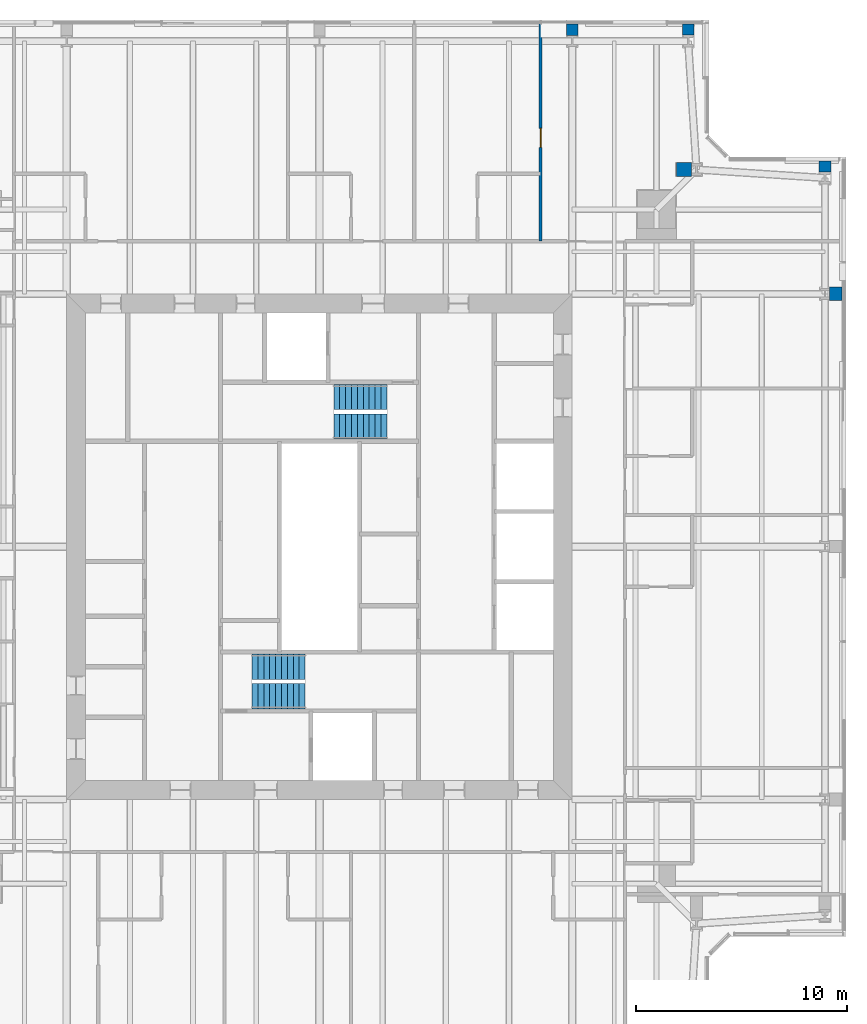
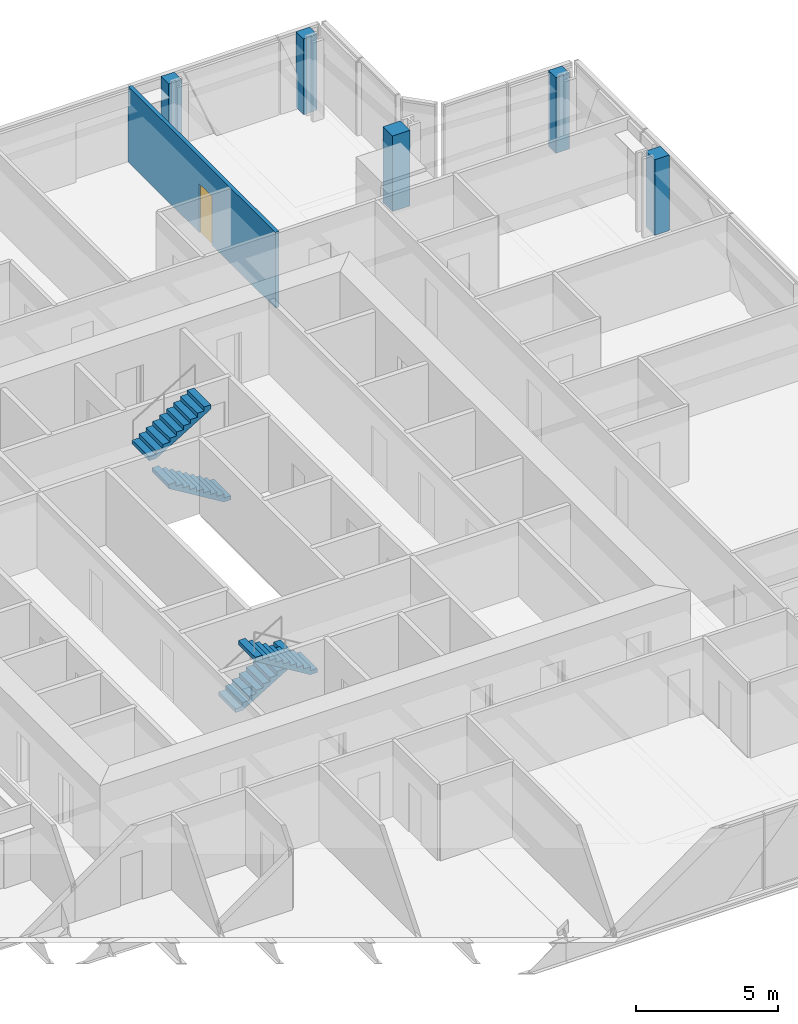
# One storey, part 15 of 20: 6 walls, 4 stair flights, 1 door, 1 opening, 2 elements without a shape of their own.
"""IFC4 building model written with IfcOpenShell, lengths in metres."""

from ifc_helpers import new_model, si_unit, direction, frame, frame_2d, origin, place, context, subcontext, project, spatial, polyline, rectangle, outline, extrude, material, layer, layer_set, type_object, element, fill, aggregate, save


model = new_model("IFC4")

# Units and contexts
model_context = context("Model", 3, precision=1e-05, world=origin(), true_north=direction((0.0, 1.0)))
body_context = subcontext(model_context, "Body", "Model", "MODEL_VIEW")
ifc_project = project(units=[si_unit("LENGTHUNIT", "METRE"), si_unit("AREAUNIT", "SQUARE_METRE"), si_unit("VOLUMEUNIT", "CUBIC_METRE"), si_unit("PLANEANGLEUNIT", "RADIAN"), si_unit("MASSUNIT", "GRAM", prefix="KILO")], contexts=[model_context])

# Site, building, storey
site_placement = place(None, origin())
site = spatial("IfcSite", under=ifc_project, at=site_placement, CompositionType="ELEMENT")
building_placement = place(site_placement, origin())
building = spatial("IfcBuilding", under=site, at=building_placement, Name="Fenwick Lantern Interchange", CompositionType="ELEMENT")
storey_placement = place(building_placement, frame((0.0, 0.0, 286.60009765625)))
storey = spatial("IfcBuildingStorey", under=building, at=storey_placement, Name="L69", CompositionType="ELEMENT", Elevation=286.60009765625)

# Walls
ifc_material_1 = material(Name="Fire-rated gypsum board encasement on steel studs, 2 hour", Category="steel")
ifc_layer_1 = layer(ifc_material_1, 0.5419921875)
ifc_layer_set_1 = layer_set([ifc_layer_1], Name="COLUMN PIER 542")
wall_type_1 = type_object("IfcWallType", Name="COLUMN PIER 542", PredefinedType="PARTITIONING", material=ifc_layer_set_1)
wall_1_placement = place(storey_placement, frame((37.0, 49.81005859375, 0.0), z_axis=(0.0, 0.0, 1.0), x_axis=(0.0, -1.0, 0.0)))
element("IfcWall", 1, at=wall_1_placement, inside=storey, type_object=wall_type_1, Name="L69/W/PIER/CN2", PredefinedType="PARTITIONING", context=body_context, shape_type="SweptSolid", body=[
    extrude(rectangle(XDim=0.544677734375, YDim=0.5419921875, at=frame_2d((0.2724609375, 0.0))), origin(), (0.0, 0.0, 1.0), 3.25),
])
ifc_layer_2 = layer(ifc_material_1, 0.554931640625)
ifc_layer_set_2 = layer_set([ifc_layer_2], Name="COLUMN PIER 555")
wall_type_2 = type_object("IfcWallType", Name="COLUMN PIER 555", PredefinedType="PARTITIONING", material=ifc_layer_set_2)
for number, where, z_axis, x_axis, name in (
    (2, (49.0, 43.31005859375, 0.0), (0.0, 0.0, 1.0), (0.0, -1.0, 0.0), "L69/W/PIER/CE5"),
    (3, (42.5, 49.81005859375, 0.0), (0.0, 0.0, 1.0), (0.0, -1.0, 0.0), "L69/W/PIER/CN1"),
):
    element("IfcWall", number, at=place(storey_placement, frame(where, z_axis=z_axis, x_axis=x_axis)), inside=storey, type_object=wall_type_2, Name=name, PredefinedType="PARTITIONING", context=body_context, shape_type="SweptSolid", body=[
        extrude(rectangle(XDim=0.525634765625, YDim=0.554931640625, at=frame_2d((0.2626953125, 0.0))), origin(), (0.0, 0.0, 1.0), 3.25),
    ])
ifc_layer_3 = layer(ifc_material_1, 0.631103515625)
ifc_layer_set_3 = layer_set([ifc_layer_3], Name="COLUMN PIER 631")
wall_type_3 = type_object("IfcWallType", Name="COLUMN PIER 631", PredefinedType="PARTITIONING", material=ifc_layer_set_3)
wall_2_placement = place(storey_placement, frame((49.81005859375, 37.0, 0.0), z_axis=(0.0, 0.0, 1.0), x_axis=(-1.0, 0.0, 0.0)))
element("IfcWall", 4, at=wall_2_placement, inside=storey, type_object=wall_type_3, Name="L69/W/PIER/CE4", PredefinedType="PARTITIONING", context=body_context, shape_type="SweptSolid", body=[
    extrude(rectangle(XDim=0.589111328125, YDim=0.631103515625, at=frame_2d((0.29443359375, 0.0))), origin(), (0.0, 0.0, 1.0), 3.25),
])
ifc_layer_4 = layer(ifc_material_1, 0.6689453125)
ifc_layer_set_4 = layer_set([ifc_layer_4], Name="COLUMN PIER 669")
wall_type_4 = type_object("IfcWallType", Name="COLUMN PIER 669", PredefinedType="PARTITIONING", material=ifc_layer_set_4)
wall_3_placement = place(storey_placement, frame((41.949951171875, 42.89990234375, 0.0), z_axis=(0.0, 0.0, 1.0), x_axis=(1.0, 0.0, 0.0)))
element("IfcWall", 5, at=wall_3_placement, inside=storey, type_object=wall_type_4, Name="L69/W/PIER/CER", PredefinedType="PARTITIONING", context=body_context, shape_type="SweptSolid", body=[
    extrude(rectangle(XDim=0.72265625, YDim=0.6689453125, at=frame_2d((0.361328125, 0.0))), origin(), (0.0, 0.0, 1.0), 3.25),
])

# Wall, opening, door
ifc_material_2 = material(Name="Gypsum board on steel studs, acoustic", Category="steel")
ifc_layer_5 = layer(ifc_material_2, 0.14990234375)
ifc_layer_set_5 = layer_set([ifc_layer_5], Name="SUITE PARTITION 150")
wall_type_5 = type_object("IfcWallType", Name="SUITE PARTITION 150", PredefinedType="PARTITIONING", material=ifc_layer_set_5)
wall_4_placement = place(storey_placement, frame((35.5, 49.85009765625, 0.0), z_axis=(0.0, 0.0, 1.0), x_axis=(0.0, -1.0, 0.0)))
wall_4 = element("IfcWall", 6, at=wall_4_placement, inside=storey, type_object=wall_type_5, Name="L69/W/HOTEL/N/U1P", PredefinedType="PARTITIONING", context=body_context, shape_type="SweptSolid", body=[
    extrude(rectangle(XDim=10.35009765625, YDim=0.14990234375, at=frame_2d((5.175048828125, 0.0))), origin(), (0.0, 0.0, 1.0), 3.25),
])
opening_placement = place(wall_4_placement, frame((5.0, 0.0, 0.0)))
opening = element("IfcOpeningElement", 7, at=opening_placement, cuts=wall_4, Name="Opening L69-D043", PredefinedType="OPENING", context=body_context, shape_type="SweptSolid", body=[
    extrude(rectangle(XDim=0.89990234375, YDim=2.10009765625, at=frame_2d((0.449951171875, 1.050048828125))), frame((0.0, 0.0849609375, 0.0), z_axis=(0.0, -1.0, 0.0), x_axis=(1.0, 0.0, 0.0)), (0.0, 0.0, 1.0), 0.169921875),
])
ifc_material_3 = material(Name="Hardwood door and steel frame", Category="steel")
door_type = type_object("IfcDoorType", Name="SUITE INTERNAL DOOR 900 X 2100", OperationType="SINGLE_SWING_LEFT", PredefinedType="DOOR", material=ifc_material_3)
door_placement = place(opening_placement, frame((0.89990234375, 0.0, 0.0), z_axis=(0.0, 0.0, 1.0), x_axis=(-1.0, 0.0, 0.0)))
door = element("IfcDoor", 8, at=door_placement, inside=storey, type_object=door_type, Name="Suite internal door", OperationType="SINGLE_SWING_LEFT", OverallHeight=2.10009765625, OverallWidth=0.89990234375, PredefinedType="DOOR", context=body_context, shape_type="SweptSolid", body=[
    extrude(rectangle(XDim=0.89990234375, YDim=2.10009765625, at=frame_2d((0.449951171875, 1.050048828125))), frame((0.0, 0.02490234375, 0.0), z_axis=(0.0, -1.0, 0.0), x_axis=(1.0, 0.0, 0.0)), (0.0, 0.0, 1.0), 0.050048828125),
])
fill(opening, door)

# Stair, stair flights
ifc_material_4 = material(Name="Precast concrete f'c 35 MPa", Category="concrete")
stair_type = type_object("IfcStairType", Name="EXIT STAIR 1200", PredefinedType="HALF_TURN_STAIR", material=ifc_material_4)
stair_1_placement = place(storey_placement, origin())
stair_1 = element("IfcStair", 9, at=stair_1_placement, inside=storey, type_object=stair_type, Name="Exit stair ST1", PredefinedType="HALF_TURN_STAIR")
stair_flight_type = type_object("IfcStairFlightType", Name="STAIR FLIGHT 1200", PredefinedType="STRAIGHT", material=ifc_material_4)
stair_flight_1_placement = place(storey_placement, frame((21.800048828125, 19.300048828125, 0.0), z_axis=(0.0, 0.0, 1.0), x_axis=(1.0, 0.0, 0.0)))
stair_flight_1 = element("IfcStairFlight", 10, at=stair_flight_1_placement, type_object=stair_flight_type, Name="ST1 flight 1", NumberOfRisers=10, NumberOfTreads=9, PredefinedType="STRAIGHT", RiserHeight=0.17, TreadLength=0.28, context=body_context, shape_type="SweptSolid", body=[
    extrude(outline(polyline([(0.0, 0.0), (0.0, 0.169921875), (0.280029296875, 0.169921875), (0.280029296875, 0.340087890625), (0.56005859375, 0.340087890625), (0.56005859375, 0.510009765625), (0.840087890625, 0.510009765625), (0.840087890625, 0.679931640625), (1.1201171875, 0.679931640625), (1.1201171875, 0.85009765625), (1.39990234375, 0.85009765625), (1.39990234375, 1.02001953125), (1.679931640625, 1.02001953125), (1.679931640625, 1.18994140625), (1.9599609375, 1.18994140625), (1.9599609375, 1.360107421875), (2.239990234375, 1.360107421875), (2.239990234375, 1.530029296875), (2.52001953125, 1.530029296875), (2.52001953125, 1.699951171875), (2.52001953125, 1.354736328125), (0.288818359375, 0.0), (0.0, 0.0)])), frame((0.0, 0.60009765625, 0.0), z_axis=(0.0, -1.0, 0.0), x_axis=(1.0, 0.0, 0.0)), (0.0, 0.0, 1.0), 1.199951171875),
])
stair_flight_2_placement = place(storey_placement, frame((24.320068359375, 17.89990234375, 1.699951171875), z_axis=(0.0, 0.0, 1.0), x_axis=(-1.0, 0.0, 0.0)))
stair_flight_2 = element("IfcStairFlight", 11, at=stair_flight_2_placement, type_object=stair_flight_type, Name="ST1 flight 2", NumberOfRisers=10, NumberOfTreads=9, PredefinedType="STRAIGHT", RiserHeight=0.17, TreadLength=0.28, context=body_context, shape_type="SweptSolid", body=[
    extrude(outline(polyline([(0.0, 0.0), (0.0, 0.169921875), (0.280029296875, 0.169921875), (0.280029296875, 0.340087890625), (0.56005859375, 0.340087890625), (0.56005859375, 0.510009765625), (0.840087890625, 0.510009765625), (0.840087890625, 0.679931640625), (1.1201171875, 0.679931640625), (1.1201171875, 0.85009765625), (1.39990234375, 0.85009765625), (1.39990234375, 1.02001953125), (1.679931640625, 1.02001953125), (1.679931640625, 1.18994140625), (1.9599609375, 1.18994140625), (1.9599609375, 1.360107421875), (2.239990234375, 1.360107421875), (2.239990234375, 1.530029296875), (2.52001953125, 1.530029296875), (2.52001953125, 1.699951171875), (2.52001953125, 1.354736328125), (0.288818359375, 0.0), (0.0, 0.0)])), frame((0.0, 0.60009765625, 0.0), z_axis=(0.0, -1.0, 0.0), x_axis=(1.0, 0.0, 0.0)), (0.0, 0.0, 1.0), 1.199951171875),
])
aggregate(stair_1, [stair_flight_1, stair_flight_2])

stair_2_placement = place(storey_placement, origin())
stair_2 = element("IfcStair", 12, at=stair_2_placement, inside=storey, type_object=stair_type, Name="Exit stair ST2", PredefinedType="HALF_TURN_STAIR")
stair_flight_3_placement = place(storey_placement, frame((28.199951171875, 30.699951171875, 0.0), z_axis=(0.0, 0.0, 1.0), x_axis=(-1.0, 0.0, 0.0)))
stair_flight_3 = element("IfcStairFlight", 13, at=stair_flight_3_placement, type_object=stair_flight_type, Name="ST2 flight 1", NumberOfRisers=10, NumberOfTreads=9, PredefinedType="STRAIGHT", RiserHeight=0.17, TreadLength=0.28, context=body_context, shape_type="SweptSolid", body=[
    extrude(outline(polyline([(0.0, 0.0), (0.0, 0.169921875), (0.280029296875, 0.169921875), (0.280029296875, 0.340087890625), (0.56005859375, 0.340087890625), (0.56005859375, 0.510009765625), (0.840087890625, 0.510009765625), (0.840087890625, 0.679931640625), (1.1201171875, 0.679931640625), (1.1201171875, 0.85009765625), (1.39990234375, 0.85009765625), (1.39990234375, 1.02001953125), (1.679931640625, 1.02001953125), (1.679931640625, 1.18994140625), (1.9599609375, 1.18994140625), (1.9599609375, 1.360107421875), (2.239990234375, 1.360107421875), (2.239990234375, 1.530029296875), (2.52001953125, 1.530029296875), (2.52001953125, 1.699951171875), (2.52001953125, 1.354736328125), (0.288818359375, 0.0), (0.0, 0.0)])), frame((0.0, 0.60009765625, 0.0), z_axis=(0.0, -1.0, 0.0), x_axis=(1.0, 0.0, 0.0)), (0.0, 0.0, 1.0), 1.199951171875),
])
stair_flight_4_placement = place(storey_placement, frame((25.679931640625, 32.10009765625, 1.699951171875), z_axis=(0.0, 0.0, 1.0), x_axis=(1.0, 0.0, 0.0)))
stair_flight_4 = element("IfcStairFlight", 14, at=stair_flight_4_placement, type_object=stair_flight_type, Name="ST2 flight 2", NumberOfRisers=10, NumberOfTreads=9, PredefinedType="STRAIGHT", RiserHeight=0.17, TreadLength=0.28, context=body_context, shape_type="SweptSolid", body=[
    extrude(outline(polyline([(0.0, 0.0), (0.0, 0.169921875), (0.280029296875, 0.169921875), (0.280029296875, 0.340087890625), (0.56005859375, 0.340087890625), (0.56005859375, 0.510009765625), (0.840087890625, 0.510009765625), (0.840087890625, 0.679931640625), (1.1201171875, 0.679931640625), (1.1201171875, 0.85009765625), (1.39990234375, 0.85009765625), (1.39990234375, 1.02001953125), (1.679931640625, 1.02001953125), (1.679931640625, 1.18994140625), (1.9599609375, 1.18994140625), (1.9599609375, 1.360107421875), (2.239990234375, 1.360107421875), (2.239990234375, 1.530029296875), (2.52001953125, 1.530029296875), (2.52001953125, 1.699951171875), (2.52001953125, 1.354736328125), (0.288818359375, 0.0), (0.0, 0.0)])), frame((0.0, 0.60009765625, 0.0), z_axis=(0.0, -1.0, 0.0), x_axis=(1.0, 0.0, 0.0)), (0.0, 0.0, 1.0), 1.199951171875),
])
aggregate(stair_2, [stair_flight_3, stair_flight_4])

save(model, "model.ifc")
